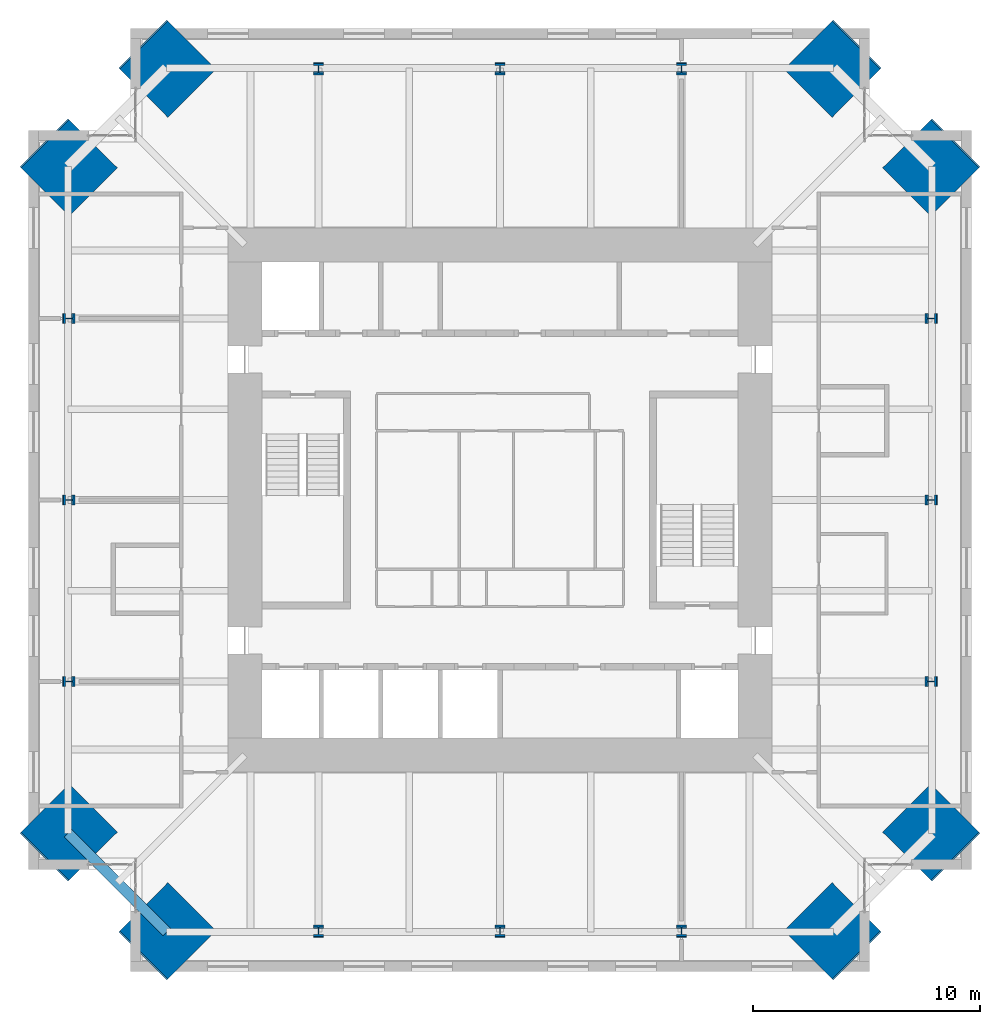
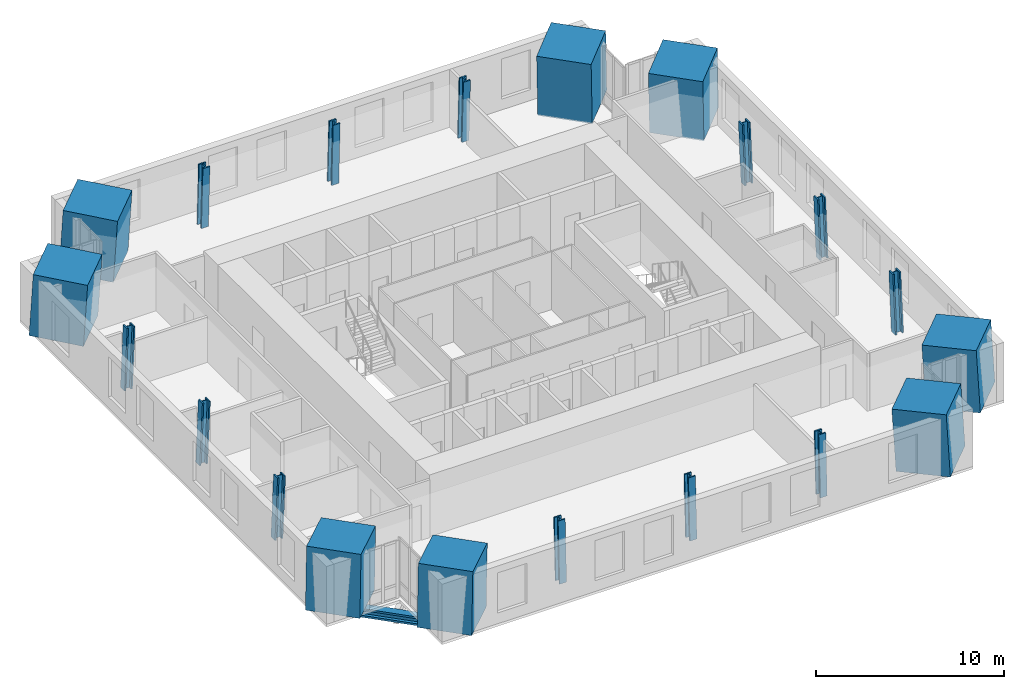
# One storey, part 1 of 15: 20 columns, 1 beam.
"""IFC4 building model written with IfcOpenShell, lengths in metres."""

from ifc_helpers import new_model, si_unit, direction, frame, origin, origin_2d, place, context, subcontext, project, spatial, rectangle, i_section, extrude, material, material_profile, profile_set, type_object, element, save


model = new_model("IFC4")

# Units and contexts
model_context = context("Model", 3, precision=1e-05, world=origin(), true_north=direction((0.0, 1.0)))
body_context = subcontext(model_context, "Body", "Model", "MODEL_VIEW")
ifc_project = project(units=[si_unit("LENGTHUNIT", "METRE"), si_unit("AREAUNIT", "SQUARE_METRE"), si_unit("VOLUMEUNIT", "CUBIC_METRE"), si_unit("PLANEANGLEUNIT", "RADIAN"), si_unit("MASSUNIT", "GRAM", prefix="KILO")], contexts=[model_context])

# Site, building, storey
site_placement = place(None, origin())
site = spatial("IfcSite", under=ifc_project, at=site_placement, CompositionType="ELEMENT")
building_placement = place(site_placement, origin())
building = spatial("IfcBuilding", under=site, at=building_placement, Name="Peilmerk Tower", CompositionType="ELEMENT")
storey_placement = place(building_placement, frame((0.0, 0.0, 293.800048828125)))
storey = spatial("IfcBuildingStorey", under=building, at=storey_placement, Name="L66", CompositionType="ELEMENT", Elevation=293.800048828125)

# Columns
ifc_material_1 = material(Name="Concrete C90/105", Category="concrete")
ifc_material_profile_1 = material_profile(ifc_material_1, rectangle(XDim=3.0, YDim=3.0, at=origin_2d()), Name="RC 3000x3000")
ifc_profile_set_1 = profile_set([ifc_material_profile_1], Name="Concrete C90/105")
column_type_1 = type_object("IfcColumnType", Name="MC3 3000x3000 encased mega column", PredefinedType="COLUMN", material=ifc_profile_set_1)
for number, where, z_axis, x_axis, name in (
    (1, (14.699951171875, 19.050048828125, 0.0), (-0.040217894151, -0.040278830354, 0.998378754189), (0.707641859868, -0.706571297296, 0.0), "Mega column MC3 NE_N L66"),
    (2, (19.050048828125, 14.699951171875, 0.0), (-0.040278830354, -0.040217894151, 0.998378754189), (0.706571297296, -0.707641859868, 0.0), "Mega column MC3 NE_E L66"),
    (3, (19.050048828125, -14.699951171875, 0.0), (-0.040278830354, 0.040217894151, 0.998378754189), (-0.706571297296, -0.707641859868, 0.0), "Mega column MC3 SE_E L66"),
    (4, (14.699951171875, -19.050048828125, 0.0), (-0.040217894151, 0.040278830354, 0.998378754189), (-0.707641859868, -0.706571297296, 0.0), "Mega column MC3 SE_S L66"),
    (5, (-14.699951171875, -19.050048828125, 0.0), (0.040217894151, 0.040278830354, 0.998378754189), (-0.707641859868, 0.706571297296, 0.0), "Mega column MC3 SW_S L66"),
    (6, (-19.050048828125, -14.699951171875, 0.0), (0.040278830354, 0.040217894151, 0.998378754189), (-0.706571297296, 0.707641859868, 0.0), "Mega column MC3 SW_W L66"),
    (7, (-19.050048828125, 14.699951171875, 0.0), (0.040278830354, -0.040217894151, 0.998378754189), (0.706571297296, 0.707641859868, 0.0), "Mega column MC3 NW_W L66"),
    (8, (-14.699951171875, 19.050048828125, 0.0), (0.040217894151, -0.040278830354, 0.998378754189), (0.707641859868, 0.706571297296, 0.0), "Mega column MC3 NW_N L66"),
):
    element("IfcColumn", number, at=place(storey_placement, frame(where, z_axis=z_axis, x_axis=x_axis)), inside=storey, type_object=column_type_1, Name=name, PredefinedType="COLUMN", context=body_context, shape_type="SweptSolid", body=[
        extrude(rectangle(XDim=3.0, YDim=3.0, at=origin_2d()), origin(), (0.0, 0.0, 1.0), 4.006591796875),
    ])
ifc_material_2 = material(Name="Steel S460", Category="steel")
ifc_material_profile_2 = material_profile(ifc_material_2, i_section(OverallWidth=0.431884765625, OverallDepth=0.498046875, WebThickness=0.0556640625, FlangeThickness=0.0888671875, at=origin_2d()), Name="HD 400x744")
ifc_profile_set_2 = profile_set([ifc_material_profile_2], Name="Steel S460")
column_type_2 = type_object("IfcColumnType", Name="SC7 HD 400x744 perimeter column", PredefinedType="COLUMN", material=ifc_profile_set_2)
for number, where, z_axis, x_axis, name in (
    (9, (0.0, 19.050048828125, 0.0), (0.0, -0.040311445006, 0.999187163349), (1.0, 0.0, 0.0), "Perimeter column N+0 L66"),
    (10, (8.0, 19.050048828125, 0.0), (0.0, -0.040311445006, 0.999187163349), (1.0, 0.0, 0.0), "Perimeter column N-8 L66"),
    (11, (-8.0, 19.050048828125, 0.0), (0.0, -0.040311445006, 0.999187163349), (1.0, 0.0, 0.0), "Perimeter column N+8 L66"),
    (12, (19.050048828125, 0.0, 0.0), (-0.040311445006, 0.0, 0.999187163349), (0.0, -1.0, 0.0), "Perimeter column E+0 L66"),
    (13, (19.050048828125, -8.0, 0.0), (-0.040311445006, 0.0, 0.999187163349), (0.0, -1.0, 0.0), "Perimeter column E-8 L66"),
    (14, (19.050048828125, 8.0, 0.0), (-0.040311445006, 0.0, 0.999187163349), (0.0, -1.0, 0.0), "Perimeter column E+8 L66"),
    (15, (0.0, -19.050048828125, 0.0), (0.0, 0.040311445006, 0.999187163349), (-1.0, 0.0, 0.0), "Perimeter column S+0 L66"),
    (16, (-8.0, -19.050048828125, 0.0), (0.0, 0.040311445006, 0.999187163349), (-1.0, 0.0, 0.0), "Perimeter column S-8 L66"),
    (17, (8.0, -19.050048828125, 0.0), (0.0, 0.040311445006, 0.999187163349), (-1.0, 0.0, 0.0), "Perimeter column S+8 L66"),
    (18, (-19.050048828125, 0.0, 0.0), (0.040311445006, 0.0, 0.999187163349), (0.0, 1.0, 0.0), "Perimeter column W+0 L66"),
    (19, (-19.050048828125, 8.0, 0.0), (0.040311445006, 0.0, 0.999187163349), (0.0, 1.0, 0.0), "Perimeter column W-8 L66"),
    (20, (-19.050048828125, -8.0, 0.0), (0.040311445006, 0.0, 0.999187163349), (0.0, 1.0, 0.0), "Perimeter column W+8 L66"),
):
    element("IfcColumn", number, at=place(storey_placement, frame(where, z_axis=z_axis, x_axis=x_axis)), inside=storey, type_object=column_type_2, Name=name, PredefinedType="COLUMN", context=body_context, shape_type="SweptSolid", body=[
        extrude(i_section(OverallWidth=0.431884765625, OverallDepth=0.498046875, WebThickness=0.0556640625, FlangeThickness=0.0888671875, at=origin_2d()), origin(), (0.0, 0.0, 1.0), 4.003173828125),
    ])

# Beam
ifc_material_profile_3 = material_profile(ifc_material_2, i_section(OverallWidth=0.4541015625, OverallDepth=0.569091796875, WebThickness=0.077880859375, FlangeThickness=0.125, at=origin_2d()), Name="HD 400x1086")
ifc_profile_set_3 = profile_set([ifc_material_profile_3], Name="Steel S460")
beam_type = type_object("IfcBeamType", Name="B17 HD 400x1086 edge beam", PredefinedType="SPANDREL", material=ifc_profile_set_3)
beam_placement = place(storey_placement, frame((-14.699951171875, -19.050048828125, -0.45458984375), z_axis=(-0.707106781187, 0.707106781187, 0.0), x_axis=(-0.707106781187, -0.707106781187, 0.0)))
element("IfcBeam", 21, at=beam_placement, inside=storey, type_object=beam_type, Name="Notch beam L66", PredefinedType="SPANDREL", context=body_context, shape_type="SweptSolid", body=[
    extrude(i_section(OverallWidth=0.4541015625, OverallDepth=0.569091796875, WebThickness=0.077880859375, FlangeThickness=0.125, at=origin_2d()), origin(), (0.0, 0.0, 1.0), 6.15185546875),
])

save(model, "model.ifc")
